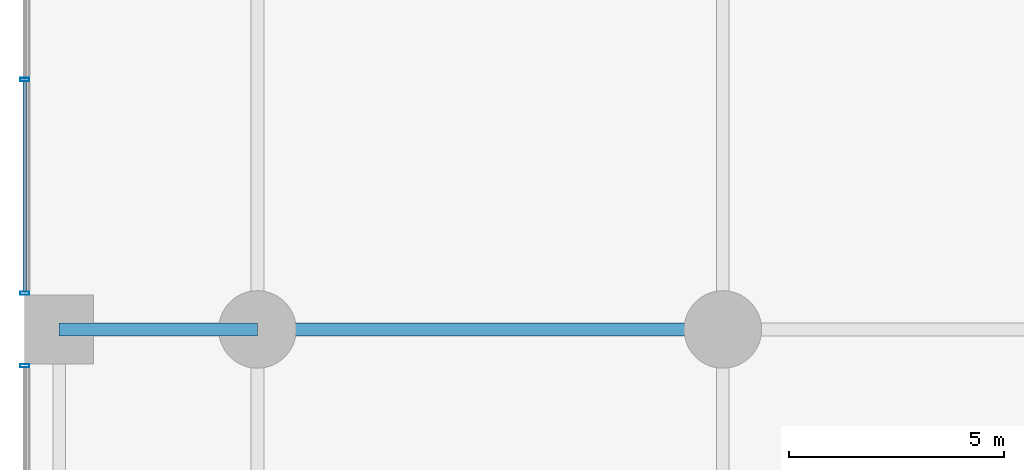
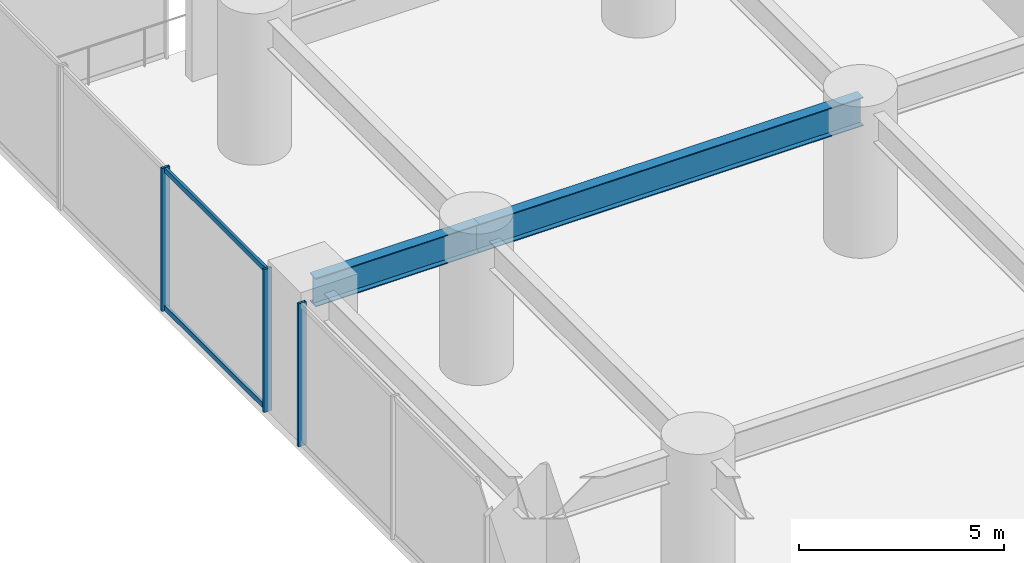
# One storey, part 11 of 36: 5 members, 2 beams, 2 elements without a shape of their own.
"""IFC4 building model written with IfcOpenShell, lengths in metres."""

from ifc_helpers import new_model, si_unit, direction, frame, origin, origin_2d, place, context, subcontext, project, spatial, hollow_rectangle, i_section, extrude, material, layer, layer_set, material_profile, profile_set, type_object, element, aggregate, save


model = new_model("IFC4")

# Units and contexts
model_context = context("Model", 3, precision=1e-05, world=origin(), true_north=direction((0.0, 1.0)))
body_context = subcontext(model_context, "Body", "Model", "MODEL_VIEW")
ifc_project = project(units=[si_unit("LENGTHUNIT", "METRE"), si_unit("AREAUNIT", "SQUARE_METRE"), si_unit("VOLUMEUNIT", "CUBIC_METRE"), si_unit("PLANEANGLEUNIT", "RADIAN"), si_unit("MASSUNIT", "GRAM", prefix="KILO")], contexts=[model_context])

# Site, building, storey
site_placement = place(None, origin())
site = spatial("IfcSite", under=ifc_project, at=site_placement, CompositionType="ELEMENT")
building_placement = place(site_placement, origin())
building = spatial("IfcBuilding", under=site, at=building_placement, Name="Surkhivell Harbour Commons", CompositionType="ELEMENT")
storey_placement = place(building_placement, frame((0.0, 0.0, 9.0)))
storey = spatial("IfcBuildingStorey", under=building, at=storey_placement, Name="L02", CompositionType="ELEMENT", Elevation=9.0)

# Beams
ifc_material_1 = material(Name="Steel S460", Category="steel")
ifc_material_profile_1 = material_profile(ifc_material_1, i_section(OverallWidth=0.2939453125, OverallDepth=0.85107421875, WebThickness=0.01611328125, FlangeThickness=0.02685546875, at=origin_2d()), Name="UB838x292x226")
ifc_profile_set_1 = profile_set([ifc_material_profile_1], Name="Steel S460")
beam_type = type_object("IfcBeamType", Name="BM-SPN-838", PredefinedType="SPANDREL", material=ifc_profile_set_1)
beam_1_placement = place(storey_placement, frame((-37.0, 10.800048828125, 3.824462890625), z_axis=(1.0, 0.0, 0.0), x_axis=(0.0, 1.0, 0.0)))
element("IfcBeam", 1, at=beam_1_placement, inside=storey, type_object=beam_type, Name="L02 Framing Beam (-37.0,10.8)", PredefinedType="SPANDREL", context=body_context, shape_type="SweptSolid", body=[
    extrude(i_section(OverallWidth=0.2939453125, OverallDepth=0.85107421875, WebThickness=0.01611328125, FlangeThickness=0.02685546875, at=origin_2d()), origin(), (0.0, 0.0, 1.0), 4.60009765625),
])
beam_2_placement = place(storey_placement, frame((-32.39990234375, 10.800048828125, 3.824462890625), z_axis=(1.0, 0.0, 0.0), x_axis=(0.0, 1.0, 0.0)))
element("IfcBeam", 2, at=beam_2_placement, inside=storey, type_object=beam_type, Name="L02 Framing Beam (-32.4,10.8)", PredefinedType="SPANDREL", context=body_context, shape_type="SweptSolid", body=[
    extrude(i_section(OverallWidth=0.2939453125, OverallDepth=0.85107421875, WebThickness=0.01611328125, FlangeThickness=0.02685546875, at=origin_2d()), origin(), (0.0, 0.0, 1.0), 10.7998046875),
])

# Curtain wall, member
ifc_material_2 = material(Name="Anodised pale-metal aluminium and insulated glazing", Category="aluminium")
ifc_layer = layer(ifc_material_2, 0.239990234375)
ifc_layer_set = layer_set([ifc_layer], Name="Anodised pale-metal aluminium and insulated glazing")
curtain_wall_type = type_object("IfcCurtainWallType", Name="CW-SYS-POD", PredefinedType="NOTDEFINED", material=ifc_layer_set)
curtain_wall_1_placement = place(storey_placement, origin())
curtain_wall_1 = element("IfcCurtainWall", 3, at=curtain_wall_1_placement, inside=storey, type_object=curtain_wall_type, Name="L02 Curtain Wall CW-L02-W4", PredefinedType="NOTDEFINED")
ifc_material_3 = material(Name="Anodised pale-metal aluminium alloy 6063-T6", Category="aluminium")
ifc_material_profile_2 = material_profile(ifc_material_3, hollow_rectangle(XDim=0.074951171875, YDim=0.219970703125, WallThickness=0.00390625, at=origin_2d()), Name="ALU-MULL-75x220")
ifc_profile_set_2 = profile_set([ifc_material_profile_2], Name="Anodised pale-metal aluminium alloy 6063-T6")
member_type_1 = type_object("IfcMemberType", Name="CWM-220", PredefinedType="MULLION", material=ifc_profile_set_2)
member_1_placement = place(storey_placement, frame((-37.800048828125, 9.96044921875, 0.0), z_axis=(0.0, 0.0, 1.0), x_axis=(0.0, 1.0, 0.0)))
member_1 = element("IfcMember", 4, at=member_1_placement, type_object=member_type_1, Name="CW-POD mullion 3", PredefinedType="MULLION", context=body_context, shape_type="SweptSolid", body=[
    extrude(hollow_rectangle(XDim=0.074951171875, YDim=0.219970703125, WallThickness=0.00390625, at=origin_2d()), origin(), (0.0, 0.0, 1.0), 4.25),
])
aggregate(curtain_wall_1, [member_1])

# Curtain wall, members
curtain_wall_2_placement = place(storey_placement, origin())
curtain_wall_2 = element("IfcCurtainWall", 5, at=curtain_wall_2_placement, inside=storey, type_object=curtain_wall_type, Name="L02 Curtain Wall CW-L02-W5", PredefinedType="NOTDEFINED")
member_2_placement = place(storey_placement, frame((-37.800048828125, 11.639404296875, 0.0), z_axis=(0.0, 0.0, 1.0), x_axis=(0.0, 1.0, 0.0)))
member_2 = element("IfcMember", 6, at=member_2_placement, type_object=member_type_1, Name="CW-POD mullion 1", PredefinedType="MULLION", context=body_context, shape_type="SweptSolid", body=[
    extrude(hollow_rectangle(XDim=0.074951171875, YDim=0.219970703125, WallThickness=0.00390625, at=origin_2d()), origin(), (0.0, 0.0, 1.0), 4.25),
])
member_3_placement = place(storey_placement, frame((-37.800048828125, 16.60107421875, 0.0), z_axis=(0.0, 0.0, 1.0), x_axis=(0.0, 1.0, 0.0)))
member_3 = element("IfcMember", 7, at=member_3_placement, type_object=member_type_1, Name="CW-POD mullion 2", PredefinedType="MULLION", context=body_context, shape_type="SweptSolid", body=[
    extrude(hollow_rectangle(XDim=0.074951171875, YDim=0.219970703125, WallThickness=0.00390625, at=origin_2d()), origin(), (0.0, 0.0, 1.0), 4.25),
])
ifc_material_profile_3 = material_profile(ifc_material_3, hollow_rectangle(XDim=0.074951171875, YDim=0.14990234375, WallThickness=0.00341796875, at=origin_2d()), Name="ALU-TRAN-75x150")
ifc_profile_set_3 = profile_set([ifc_material_profile_3], Name="Anodised pale-metal aluminium alloy 6063-T6")
member_type_2 = type_object("IfcMemberType", Name="CWT-150", PredefinedType="USERDEFINED", material=ifc_profile_set_3)
member_4_placement = place(storey_placement, frame((-37.800048828125, 11.677001953125, 0.074951171875), z_axis=(0.0, 1.0, 0.0), x_axis=(-1.0, 0.0, 0.0)))
member_4 = element("IfcMember", 8, at=member_4_placement, type_object=member_type_2, Name="CW-POD transom 1.1", ObjectType="TRANSOM", PredefinedType="USERDEFINED", context=body_context, shape_type="SweptSolid", body=[
    extrude(hollow_rectangle(XDim=0.074951171875, YDim=0.14990234375, WallThickness=0.00341796875, at=origin_2d()), origin(), (0.0, 0.0, 1.0), 4.886474609375),
])
member_5_placement = place(storey_placement, frame((-37.800048828125, 11.677001953125, 4.175048828125), z_axis=(0.0, 1.0, 0.0), x_axis=(-1.0, 0.0, 0.0)))
member_5 = element("IfcMember", 9, at=member_5_placement, type_object=member_type_2, Name="CW-POD transom 1.2", ObjectType="TRANSOM", PredefinedType="USERDEFINED", context=body_context, shape_type="SweptSolid", body=[
    extrude(hollow_rectangle(XDim=0.074951171875, YDim=0.14990234375, WallThickness=0.00341796875, at=origin_2d()), origin(), (0.0, 0.0, 1.0), 4.886474609375),
])
aggregate(curtain_wall_2, [member_2, member_3, member_4, member_5])

save(model, "model.ifc")
